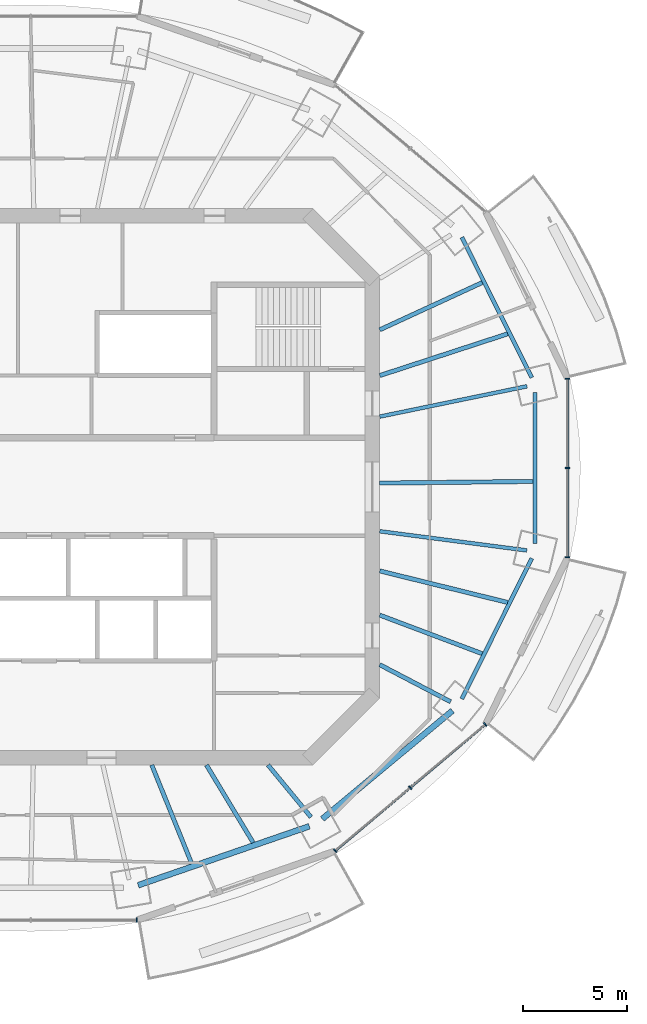
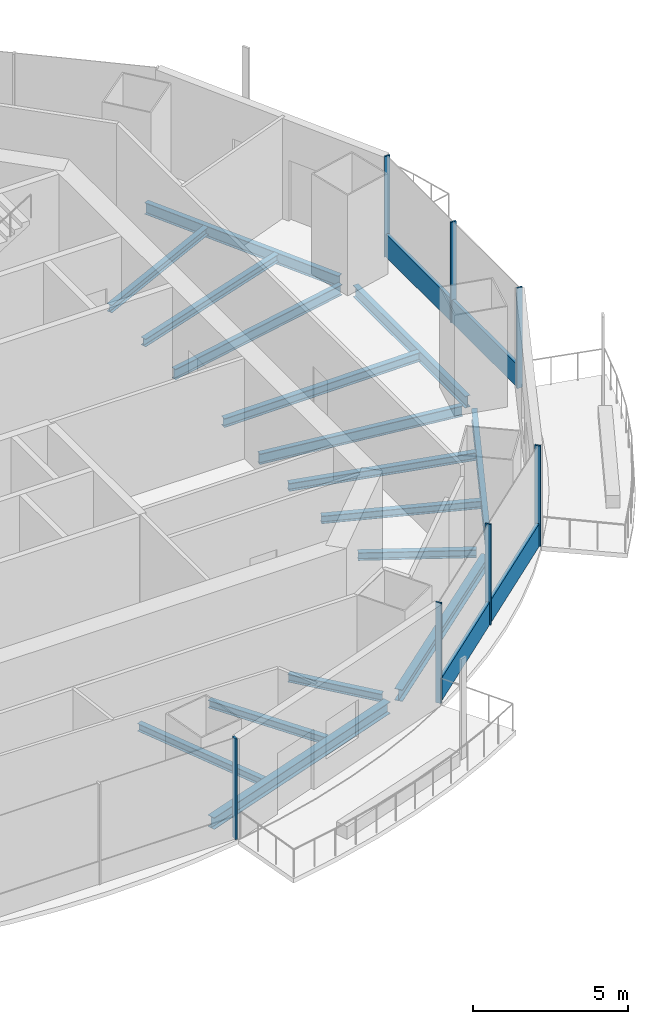
# One storey, part 4 of 16: 16 beams, 9 members, 3 elements without a shape of their own.
"""IFC4 building model written with IfcOpenShell, lengths in metres."""

from ifc_helpers import new_model, si_unit, direction, frame, origin, origin_2d, place, context, subcontext, project, spatial, rectangle, i_section, extrude, material, material_profile, profile_set, type_object, element, aggregate, save


model = new_model("IFC4")

# Units and contexts
model_context = context("Model", 3, precision=1e-05, world=origin(), true_north=direction((0.0, 1.0)))
body_context = subcontext(model_context, "Body", "Model", "MODEL_VIEW")
ifc_project = project(units=[si_unit("LENGTHUNIT", "METRE"), si_unit("AREAUNIT", "SQUARE_METRE"), si_unit("VOLUMEUNIT", "CUBIC_METRE"), si_unit("PLANEANGLEUNIT", "RADIAN"), si_unit("MASSUNIT", "GRAM", prefix="KILO")], contexts=[model_context])

# Site, building, storey
site_placement = place(None, origin())
site = spatial("IfcSite", under=ifc_project, at=site_placement, CompositionType="ELEMENT")
building_placement = place(site_placement, origin())
building = spatial("IfcBuilding", under=site, at=building_placement, Name="Marenthal Gate Tower", CompositionType="ELEMENT")
storey_placement = place(building_placement, frame((0.0, 0.0, 367.5)))
storey = spatial("IfcBuildingStorey", under=building, at=storey_placement, Name="L83", CompositionType="ELEMENT", Elevation=367.5)

# Curtain wall, member
ifc_material_1 = material(Name="Aluminium and glass", Category="aluminium")
curtain_wall_type = type_object("IfcCurtainWallType", Name="Curtain wall typical high", PredefinedType="NOTDEFINED", material=ifc_material_1)
curtain_wall_1_placement = place(storey_placement, origin())
curtain_wall_1 = element("IfcCurtainWall", 1, at=curtain_wall_1_placement, inside=storey, type_object=curtain_wall_type, Name="Curtain wall L83 bay 12", PredefinedType="NOTDEFINED")
ifc_material_2 = material(Name="Aluminium", Category="aluminium")
ifc_material_profile_1 = material_profile(ifc_material_2, rectangle(XDim=0.199951171875, YDim=0.06005859375, at=origin_2d()), Name="60x200 aluminium mullion")
ifc_profile_set_1 = profile_set([ifc_material_profile_1], Name="Aluminium")
member_type_1 = type_object("IfcMemberType", Name="Mullion 60x200 typical high", PredefinedType="MULLION", material=ifc_profile_set_1)
member_1_placement = place(storey_placement, frame((4.694091796875, -20.7861328125, 0.0), z_axis=(0.0, 0.0, 1.0), x_axis=(0.0, 1.0, 0.0)))
member_1 = element("IfcMember", 2, at=member_1_placement, type_object=member_type_1, Name="Mullion L83 bay 12.3", PredefinedType="MULLION", context=body_context, shape_type="SweptSolid", body=[
    extrude(rectangle(XDim=0.199951171875, YDim=0.06005859375, at=origin_2d()), origin(), (0.0, 0.0, 1.0), 3.969970703125),
])
aggregate(curtain_wall_1, [member_1])

# Curtain wall, members
curtain_wall_2_placement = place(storey_placement, origin())
curtain_wall_2 = element("IfcCurtainWall", 3, at=curtain_wall_2_placement, inside=storey, type_object=curtain_wall_type, Name="Curtain wall L83 bay 14", PredefinedType="NOTDEFINED")
member_2_placement = place(storey_placement, frame((14.215087890625, -17.46533203125, 0.0), z_axis=(0.0, 0.0, 1.0), x_axis=(-0.644022605429, 0.765006459905, 0.0)))
member_2 = element("IfcMember", 4, at=member_2_placement, type_object=member_type_1, Name="Mullion L83 bay 14.1", PredefinedType="MULLION", context=body_context, shape_type="SweptSolid", body=[
    extrude(rectangle(XDim=0.199951171875, YDim=0.06005859375, at=origin_2d()), origin(), (0.0, 0.0, 1.0), 3.969970703125),
])
member_3_placement = place(storey_placement, frame((17.8154296875, -14.434326171875, 0.0), z_axis=(0.0, 0.0, 1.0), x_axis=(-0.644022605429, 0.765006459905, 0.0)))
member_3 = element("IfcMember", 5, at=member_3_placement, type_object=member_type_1, Name="Mullion L83 bay 14.2", PredefinedType="MULLION", context=body_context, shape_type="SweptSolid", body=[
    extrude(rectangle(XDim=0.199951171875, YDim=0.06005859375, at=origin_2d()), origin(), (0.0, 0.0, 1.0), 3.969970703125),
])
member_4_placement = place(storey_placement, frame((21.41552734375, -11.403564453125, 0.0), z_axis=(0.0, 0.0, 1.0), x_axis=(-0.644022605429, 0.765006459905, 0.0)))
member_4 = element("IfcMember", 6, at=member_4_placement, type_object=member_type_1, Name="Mullion L83 bay 14.3", PredefinedType="MULLION", context=body_context, shape_type="SweptSolid", body=[
    extrude(rectangle(XDim=0.199951171875, YDim=0.06005859375, at=origin_2d()), origin(), (0.0, 0.0, 1.0), 3.969970703125),
])

curtain_wall_3_placement = place(storey_placement, origin())
curtain_wall_3 = element("IfcCurtainWall", 7, at=curtain_wall_3_placement, inside=storey, type_object=curtain_wall_type, Name="Curtain wall L83 bay 16", PredefinedType="NOTDEFINED")
member_5_placement = place(storey_placement, frame((25.3603515625, -3.383544921875, 0.0), z_axis=(0.0, 0.0, 1.0), x_axis=(-1.0, 0.0, 0.0)))
member_5 = element("IfcMember", 8, at=member_5_placement, type_object=member_type_1, Name="Mullion L83 bay 16.1", PredefinedType="MULLION", context=body_context, shape_type="SweptSolid", body=[
    extrude(rectangle(XDim=0.199951171875, YDim=0.06005859375, at=origin_2d()), origin(), (0.0, 0.0, 1.0), 3.969970703125),
])
member_6_placement = place(storey_placement, frame((25.3603515625, 0.89990234375, 0.0), z_axis=(0.0, 0.0, 1.0), x_axis=(-1.0, 0.0, 0.0)))
member_6 = element("IfcMember", 9, at=member_6_placement, type_object=member_type_1, Name="Mullion L83 bay 16.2", PredefinedType="MULLION", context=body_context, shape_type="SweptSolid", body=[
    extrude(rectangle(XDim=0.199951171875, YDim=0.06005859375, at=origin_2d()), origin(), (0.0, 0.0, 1.0), 3.969970703125),
])
member_7_placement = place(storey_placement, frame((25.3603515625, 5.18359375, 0.0), z_axis=(0.0, 0.0, 1.0), x_axis=(-1.0, 0.0, 0.0)))
member_7 = element("IfcMember", 10, at=member_7_placement, type_object=member_type_1, Name="Mullion L83 bay 16.3", PredefinedType="MULLION", context=body_context, shape_type="SweptSolid", body=[
    extrude(rectangle(XDim=0.199951171875, YDim=0.06005859375, at=origin_2d()), origin(), (0.0, 0.0, 1.0), 3.969970703125),
])

# Member
ifc_material_3 = material(Name="Aluminium", Category="aluminium")
ifc_material_profile_2 = material_profile(ifc_material_3, rectangle(XDim=0.1201171875, YDim=0.89990234375, at=origin_2d()), Name="120x900 aluminium transom")
ifc_profile_set_2 = profile_set([ifc_material_profile_2], Name="Aluminium")
member_type_2 = type_object("IfcMemberType", Name="Transom 120x900 typical high", PredefinedType="USERDEFINED", material=ifc_profile_set_2)
member_8_placement = place(storey_placement, frame((14.238037109375, -17.446044921875, 0.449951171875), z_axis=(0.764999870882, 0.644030432162, 0.0), x_axis=(-0.644030432162, 0.764999870882, 0.0)))
member_8 = element("IfcMember", 11, at=member_8_placement, type_object=member_type_2, Name="Transom L83 bay 14", ObjectType="TRANSOM", PredefinedType="USERDEFINED", context=body_context, shape_type="SweptSolid", body=[
    extrude(rectangle(XDim=0.1201171875, YDim=0.89990234375, at=origin_2d()), origin(), (0.0, 0.0, 1.0), 9.352294921875),
])

aggregate(curtain_wall_2, [member_2, member_3, member_4, member_8])

member_9_placement = place(storey_placement, frame((25.3603515625, -3.353515625, 0.449951171875), z_axis=(0.0, 1.0, 0.0), x_axis=(-1.0, 0.0, 0.0)))
member_9 = element("IfcMember", 12, at=member_9_placement, type_object=member_type_2, Name="Transom L83 bay 16", ObjectType="TRANSOM", PredefinedType="USERDEFINED", context=body_context, shape_type="SweptSolid", body=[
    extrude(rectangle(XDim=0.1201171875, YDim=0.89990234375, at=origin_2d()), origin(), (0.0, 0.0, 1.0), 8.507080078125),
])

aggregate(curtain_wall_3, [member_5, member_6, member_7, member_9])

# Beams
ifc_material_4 = material(Name="Steel S355", Category="steel")
ifc_material_profile_3 = material_profile(ifc_material_4, i_section(OverallWidth=0.202880859375, OverallDepth=0.302001953125, WebThickness=0.007568359375, FlangeThickness=0.01318359375, FilletRadius=0.0126953125, at=origin_2d()), Name="W310X60")
ifc_profile_set_3 = profile_set([ifc_material_profile_3], Name="Steel S355")
beam_type_1 = type_object("IfcBeamType", Name="W310X60 beam", PredefinedType="BEAM", material=ifc_profile_set_3)
beam_1_placement = place(storey_placement, frame((21.2666015625, 9.79931640625, -0.3310546875), z_axis=(-0.90822452273, -0.418483233013, 0.0), x_axis=(0.418483233013, -0.90822452273, 0.0)))
element("IfcBeam", 13, at=beam_1_placement, inside=storey, type_object=beam_type_1, Name="BM-L83-18", PredefinedType="BEAM", context=body_context, shape_type="SweptSolid", body=[
    extrude(i_section(OverallWidth=0.202880859375, OverallDepth=0.302001953125, WebThickness=0.007568359375, FlangeThickness=0.01318359375, FilletRadius=0.0126953125, at=origin_2d()), origin(), (0.0, 0.0, 1.0), 5.413330078125),
])
beam_2_placement = place(storey_placement, frame((7.32958984375, -18.085205078125, -0.3310546875), z_axis=(-0.375629684386, 0.92676984209, 0.0), x_axis=(-0.92676984209, -0.375629684386, 0.0)))
element("IfcBeam", 14, at=beam_2_placement, inside=storey, type_object=beam_type_1, Name="BM-L83-34", PredefinedType="BEAM", context=body_context, shape_type="SweptSolid", body=[
    extrude(i_section(OverallWidth=0.202880859375, OverallDepth=0.302001953125, WebThickness=0.007568359375, FlangeThickness=0.01318359375, FilletRadius=0.0126953125, at=origin_2d()), origin(), (0.0, 0.0, 1.0), 5.109375),
])
beam_3_placement = place(storey_placement, frame((10.274658203125, -17.070556640625, -0.3310546875), z_axis=(-0.515718873754, 0.856757867343, 0.0), x_axis=(-0.856757867343, -0.515718873754, 0.0)))
element("IfcBeam", 15, at=beam_3_placement, inside=storey, type_object=beam_type_1, Name="BM-L83-35", PredefinedType="BEAM", context=body_context, shape_type="SweptSolid", body=[
    extrude(i_section(OverallWidth=0.202880859375, OverallDepth=0.302001953125, WebThickness=0.007568359375, FlangeThickness=0.01318359375, FilletRadius=0.0126953125, at=origin_2d()), origin(), (0.0, 0.0, 1.0), 4.342529296875),
])
beam_4_placement = place(storey_placement, frame((21.263671875, -8.005615234375, -0.3310546875), z_axis=(-0.935858242886, 0.352376714926, 0.0), x_axis=(-0.352376714926, -0.935858242886, 0.0)))
element("IfcBeam", 16, at=beam_4_placement, inside=storey, type_object=beam_type_1, Name="BM-L83-36", PredefinedType="BEAM", context=body_context, shape_type="SweptSolid", body=[
    extrude(i_section(OverallWidth=0.202880859375, OverallDepth=0.302001953125, WebThickness=0.007568359375, FlangeThickness=0.01318359375, FilletRadius=0.0126953125, at=origin_2d()), origin(), (0.0, 0.0, 1.0), 5.250244140625),
])
ifc_material_5 = material(Name="Steel S355", Category="steel")
ifc_material_profile_4 = material_profile(ifc_material_5, i_section(OverallWidth=0.205078125, OverallDepth=0.31005859375, WebThickness=0.009521484375, FlangeThickness=0.016357421875, FilletRadius=0.0126953125, at=origin_2d()), Name="W310X74")
ifc_profile_set_4 = profile_set([ifc_material_profile_4], Name="Steel S355")
beam_type_2 = type_object("IfcBeamType", Name="W310X74 beam", PredefinedType="BEAM", material=ifc_profile_set_4)
beam_5_placement = place(storey_placement, frame((13.050537109375, -15.8505859375, -0.3349609375), z_axis=(-0.635635916032, 0.771988978063, 0.0), x_axis=(-0.771988978063, -0.635635916032, 0.0)))
element("IfcBeam", 17, at=beam_5_placement, inside=storey, type_object=beam_type_2, Name="BM-L83-14", PredefinedType="BEAM", context=body_context, shape_type="SweptSolid", body=[
    extrude(i_section(OverallWidth=0.205078125, OverallDepth=0.31005859375, WebThickness=0.009521484375, FlangeThickness=0.016357421875, FilletRadius=0.0126953125, at=origin_2d()), origin(), (0.0, 0.0, 1.0), 3.239013671875),
])
beam_6_placement = place(storey_placement, frame((19.754638671875, -10.313232421875, -0.3349609375), z_axis=(-0.88644539242, 0.462833194852, 0.0), x_axis=(-0.462833194852, -0.88644539242, 0.0)))
element("IfcBeam", 18, at=beam_6_placement, inside=storey, type_object=beam_type_2, Name="BM-L83-15", PredefinedType="BEAM", context=body_context, shape_type="SweptSolid", body=[
    extrude(i_section(OverallWidth=0.205078125, OverallDepth=0.31005859375, WebThickness=0.009521484375, FlangeThickness=0.016357421875, FilletRadius=0.0126953125, at=origin_2d()), origin(), (0.0, 0.0, 1.0), 3.840576171875),
])
beam_7_placement = place(storey_placement, frame((22.490234375, 7.34228515625, -0.3349609375), z_axis=(-0.950630491123, -0.310325102669, 0.0), x_axis=(0.310325102669, -0.950630491123, 0.0)))
element("IfcBeam", 19, at=beam_7_placement, inside=storey, type_object=beam_type_2, Name="BM-L83-17", PredefinedType="BEAM", context=body_context, shape_type="SweptSolid", body=[
    extrude(i_section(OverallWidth=0.205078125, OverallDepth=0.31005859375, WebThickness=0.009521484375, FlangeThickness=0.016357421875, FilletRadius=0.0126953125, at=origin_2d()), origin(), (0.0, 0.0, 1.0), 6.458984375),
])
beam_8_placement = place(storey_placement, frame((22.487060546875, -5.549072265625, -0.3349609375), z_axis=(-0.970876392675, 0.239580946961, 0.0), x_axis=(-0.239580946961, -0.970876392675, 0.0)))
element("IfcBeam", 20, at=beam_8_placement, inside=storey, type_object=beam_type_2, Name="BM-L83-37", PredefinedType="BEAM", context=body_context, shape_type="SweptSolid", body=[
    extrude(i_section(OverallWidth=0.205078125, OverallDepth=0.31005859375, WebThickness=0.009521484375, FlangeThickness=0.016357421875, FilletRadius=0.0126953125, at=origin_2d()), origin(), (0.0, 0.0, 1.0), 6.321044921875),
])
ifc_material_6 = material(Name="Steel S355", Category="steel")
ifc_material_profile_5 = material_profile(ifc_material_6, i_section(OverallWidth=0.205078125, OverallDepth=0.35302734375, WebThickness=0.009521484375, FlangeThickness=0.016845703125, FilletRadius=0.014892578125, at=origin_2d()), Name="W360X79")
ifc_profile_set_5 = profile_set([ifc_material_profile_5], Name="Steel S355")
beam_type_3 = type_object("IfcBeamType", Name="W360X79 beam", PredefinedType="BEAM", material=ifc_profile_set_5)
beam_9_placement = place(storey_placement, frame((23.715087890625, 0.258056640625, -0.3564453125), z_axis=(-0.999940896263, -0.010872165412, 0.0), x_axis=(0.010872165412, -0.999940896263, 0.0)))
element("IfcBeam", 21, at=beam_9_placement, inside=storey, type_object=beam_type_3, Name="BM-L83-38", PredefinedType="BEAM", context=body_context, shape_type="SweptSolid", body=[
    extrude(i_section(OverallWidth=0.205078125, OverallDepth=0.35302734375, WebThickness=0.009521484375, FlangeThickness=0.016845703125, FilletRadius=0.014892578125, at=origin_2d()), origin(), (0.0, 0.0, 1.0), 7.365478515625),
])
ifc_material_7 = material(Name="Steel S355", Category="steel")
ifc_material_profile_6 = material_profile(ifc_material_7, i_section(OverallWidth=0.180908203125, OverallDepth=0.4169921875, WebThickness=0.010986328125, FlangeThickness=0.018310546875, FilletRadius=0.01025390625, at=origin_2d()), Name="W410X85")
ifc_profile_set_6 = profile_set([ifc_material_profile_6], Name="Steel S355")
beam_type_4 = type_object("IfcBeamType", Name="W410X85 beam", PredefinedType="BEAM", material=ifc_profile_set_6)
beam_10_placement = place(storey_placement, frame((23.41845703125, 4.82470703125, -0.388427734375), z_axis=(-0.979428341532, -0.201792278849, 0.0), x_axis=(0.201792278849, -0.979428341532, 0.0)))
element("IfcBeam", 22, at=beam_10_placement, inside=storey, type_object=beam_type_4, Name="BM-L83-01", PredefinedType="BEAM", context=body_context, shape_type="SweptSolid", body=[
    extrude(i_section(OverallWidth=0.180908203125, OverallDepth=0.4169921875, WebThickness=0.010986328125, FlangeThickness=0.018310546875, FilletRadius=0.01025390625, at=origin_2d()), origin(), (0.0, 0.0, 1.0), 7.216796875),
])
beam_11_placement = place(storey_placement, frame((23.4091796875, -3.052978515625, -0.388427734375), z_axis=(-0.991602132217, 0.129325988815, 0.0), x_axis=(-0.129325988815, -0.991602132217, 0.0)))
element("IfcBeam", 23, at=beam_11_placement, inside=storey, type_object=beam_type_4, Name="BM-L83-16", PredefinedType="BEAM", context=body_context, shape_type="SweptSolid", body=[
    extrude(i_section(OverallWidth=0.180908203125, OverallDepth=0.4169921875, WebThickness=0.010986328125, FlangeThickness=0.018310546875, FilletRadius=0.01025390625, at=origin_2d()), origin(), (0.0, 0.0, 1.0), 7.118896484375),
])
ifc_material_8 = material(Name="Steel S355", Category="steel")
ifc_material_profile_7 = material_profile(ifc_material_8, i_section(OverallWidth=0.279052734375, OverallDepth=0.4619140625, WebThickness=0.0107421875, FlangeThickness=0.017333984375, FilletRadius=0.010009765625, at=origin_2d()), Name="W460X113")
ifc_profile_set_7 = profile_set([ifc_material_profile_7], Name="Steel S355")
beam_type_5 = type_object("IfcBeamType", Name="W460X113 beam", PredefinedType="BEAM", material=ifc_profile_set_7)
beam_12_placement = place(storey_placement, frame((4.75830078125, -19.11865234375, -0.410888671875), z_axis=(0.945462255224, 0.325731674766, 0.0), x_axis=(-0.325731674766, 0.945462255224, 0.0)))
element("IfcBeam", 24, at=beam_12_placement, inside=storey, type_object=beam_type_5, Name="BM-L83-51", PredefinedType="BEAM", context=body_context, shape_type="SweptSolid", body=[
    extrude(i_section(OverallWidth=0.279052734375, OverallDepth=0.4619140625, WebThickness=0.0107421875, FlangeThickness=0.017333984375, FilletRadius=0.010009765625, at=origin_2d()), origin(), (0.0, 0.0, 1.0), 8.68603515625),
])
beam_13_placement = place(storey_placement, frame((13.594970703125, -15.9375, -0.410888671875), z_axis=(0.768814455902, 0.639471916816, 0.0), x_axis=(-0.639471916816, 0.768814455902, 0.0)))
element("IfcBeam", 25, at=beam_13_placement, inside=storey, type_object=beam_type_5, Name="BM-L83-52", PredefinedType="BEAM", context=body_context, shape_type="SweptSolid", body=[
    extrude(i_section(OverallWidth=0.279052734375, OverallDepth=0.4619140625, WebThickness=0.0107421875, FlangeThickness=0.017333984375, FilletRadius=0.010009765625, at=origin_2d()), origin(), (0.0, 0.0, 1.0), 8.1259765625),
])
ifc_material_9 = material(Name="Steel S355", Category="steel")
ifc_material_profile_8 = material_profile(ifc_material_9, i_section(OverallWidth=0.19091796875, OverallDepth=0.45703125, WebThickness=0.009033203125, FlangeThickness=0.014404296875, FilletRadius=0.01025390625, at=origin_2d()), Name="W460X74")
ifc_profile_set_8 = profile_set([ifc_material_profile_8], Name="Steel S355")
beam_type_6 = type_object("IfcBeamType", Name="W460X74 beam", PredefinedType="BEAM", material=ifc_profile_set_8)
for number, where, z_axis, x_axis, name in (
    (26, (23.644775390625, 5.23876953125, -0.408447265625), (-0.445798626481, 0.895133277578, 0.0), (-0.895133277578, -0.445798626481, 0.0), "BM-L83-39"),
    (27, (20.289794921875, -10.17529296875, -0.408447265625), (0.445798626481, 0.895133277578, 0.0), (-0.895133277578, 0.445798626481, 0.0), "BM-L83-53"),
):
    element("IfcBeam", number, at=place(storey_placement, frame(where, z_axis=z_axis, x_axis=x_axis)), inside=storey, type_object=beam_type_6, Name=name, PredefinedType="BEAM", context=body_context, shape_type="SweptSolid", body=[
        extrude(i_section(OverallWidth=0.19091796875, OverallDepth=0.45703125, WebThickness=0.009033203125, FlangeThickness=0.014404296875, FilletRadius=0.01025390625, at=origin_2d()), origin(), (0.0, 0.0, 1.0), 7.52587890625),
    ])
beam_14_placement = place(storey_placement, frame((23.810791015625, -2.7314453125, -0.408447265625), z_axis=(0.0, 1.0, 0.0), x_axis=(-1.0, 0.0, 0.0)))
element("IfcBeam", 28, at=beam_14_placement, inside=storey, type_object=beam_type_6, Name="BM-L83-54", PredefinedType="BEAM", context=body_context, shape_type="SweptSolid", body=[
    extrude(i_section(OverallWidth=0.19091796875, OverallDepth=0.45703125, WebThickness=0.009033203125, FlangeThickness=0.014404296875, FilletRadius=0.01025390625, at=origin_2d()), origin(), (0.0, 0.0, 1.0), 7.262939453125),
])

save(model, "model.ifc")
